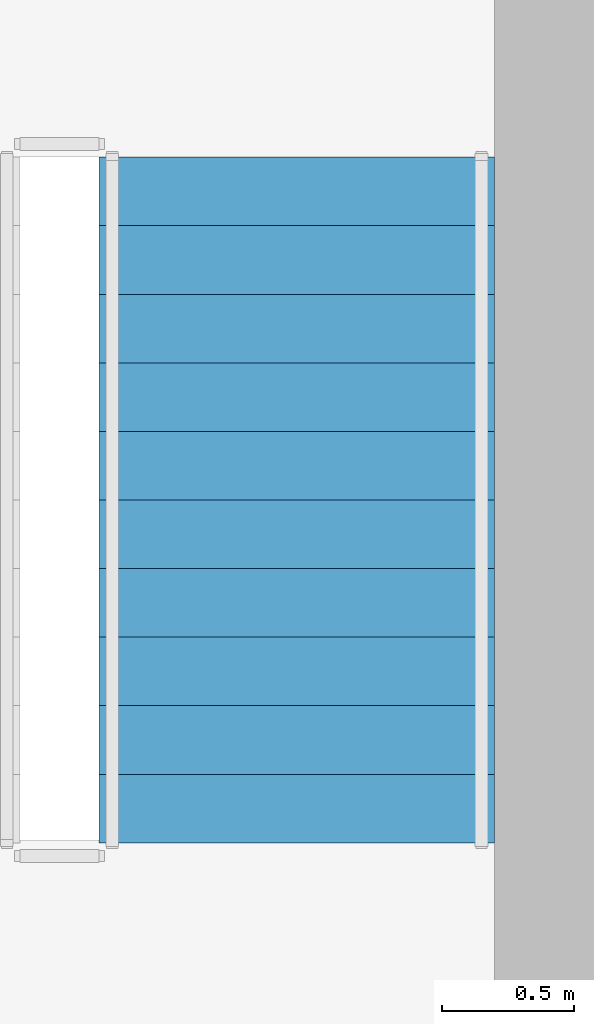
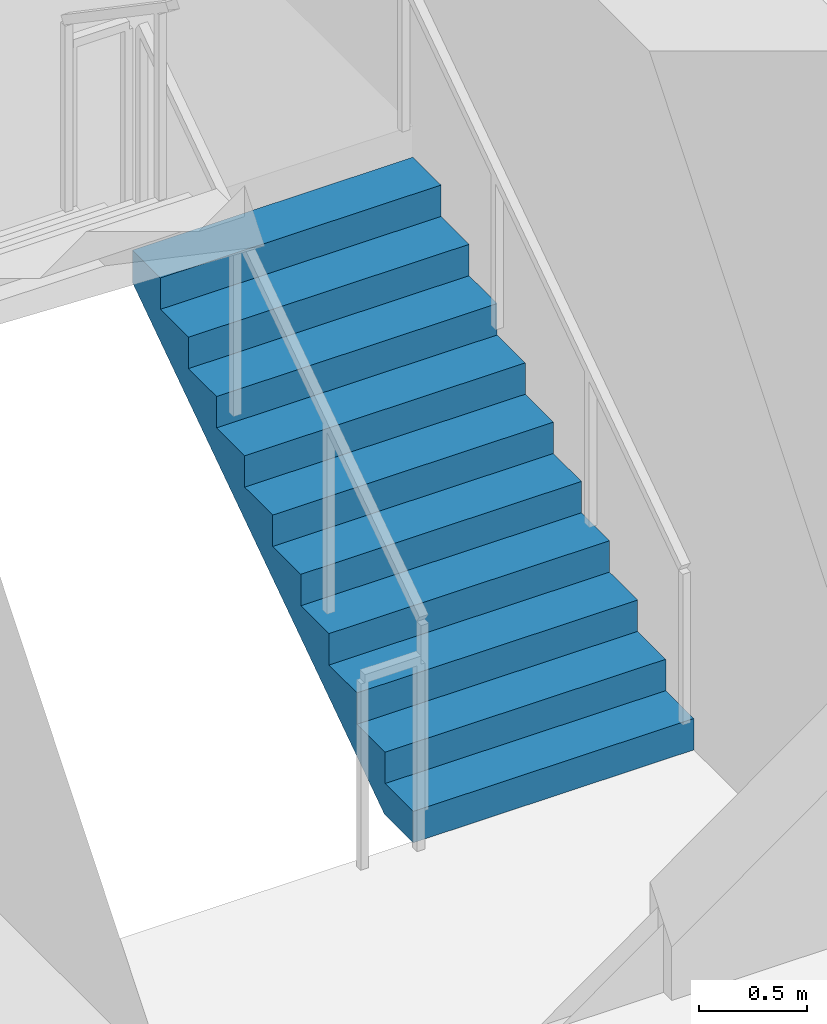
# One storey, part 12 of 17: 1 stair flight, 1 element without a shape of its own.
"""IFC4 building model written with IfcOpenShell, lengths in metres."""

from ifc_helpers import new_model, si_unit, direction, frame, origin, place, context, subcontext, project, spatial, polyline, outline, extrude, material, type_object, element, aggregate, save


model = new_model("IFC4")

# Units and contexts
model_context = context("Model", 3, precision=1e-05, world=origin(), true_north=direction((0.0, 1.0)))
body_context = subcontext(model_context, "Body", "Model", "MODEL_VIEW")
ifc_project = project(units=[si_unit("LENGTHUNIT", "METRE"), si_unit("AREAUNIT", "SQUARE_METRE"), si_unit("VOLUMEUNIT", "CUBIC_METRE"), si_unit("PLANEANGLEUNIT", "RADIAN"), si_unit("MASSUNIT", "GRAM", prefix="KILO")], contexts=[model_context])

# Site, building, storey
site_placement = place(None, origin())
site = spatial("IfcSite", under=ifc_project, at=site_placement, CompositionType="ELEMENT")
building_placement = place(site_placement, origin())
building = spatial("IfcBuilding", under=site, at=building_placement, Name="Rattan Terrace Tower", CompositionType="ELEMENT")
storey_placement = place(building_placement, frame((0.0, 0.0, 213.5)))
storey = spatial("IfcBuildingStorey", under=building, at=storey_placement, Name="L48", CompositionType="ELEMENT", Elevation=213.5)

# Stair, stair flight
ifc_material_1 = material(Name="Concrete C40/50", Category="concrete")
stair_type = type_object("IfcStairType", Name="Core exit stair 1500", PredefinedType="HALF_TURN_STAIR", material=ifc_material_1)
stair_placement = place(storey_placement, origin())
stair = element("IfcStair", 1, at=stair_placement, inside=storey, type_object=stair_type, Name="L48 exit stair 2", PredefinedType="HALF_TURN_STAIR")
ifc_material_2 = material(Name="Concrete C40/50", Category="concrete")
stair_flight_type = type_object("IfcStairFlightType", Name="Core exit stair flight 1500", PredefinedType="STRAIGHT", material=ifc_material_2)
stair_flight_placement = place(storey_placement, frame((16.35009765625, 1.699951171875, 0.0), z_axis=(0.0, 0.0, 1.0), x_axis=(0.0, 1.0, 0.0)))
stair_flight = element("IfcStairFlight", 2, at=stair_flight_placement, type_object=stair_flight_type, Name="S2 flight 1", NumberOfRisers=11, NumberOfTreads=10, PredefinedType="STRAIGHT", RiserHeight=0.177272727, TreadLength=0.26, context=body_context, shape_type="SweptSolid", body=[
    extrude(outline(polyline([(0.0, 0.0), (0.0, 0.17724609375), (0.260009765625, 0.17724609375), (0.260009765625, 0.3544921875), (0.52001953125, 0.3544921875), (0.52001953125, 0.53173828125), (0.780029296875, 0.53173828125), (0.780029296875, 0.708984375), (1.0400390625, 0.708984375), (1.0400390625, 0.886474609375), (1.300048828125, 0.886474609375), (1.300048828125, 1.063720703125), (1.56005859375, 1.063720703125), (1.56005859375, 1.240966796875), (1.820068359375, 1.240966796875), (1.820068359375, 1.418212890625), (2.080078125, 1.418212890625), (2.080078125, 1.595458984375), (2.340087890625, 1.595458984375), (2.340087890625, 1.772705078125), (2.60009765625, 1.772705078125), (2.60009765625, 1.949951171875), (2.60009765625, 1.59130859375), (0.26611328125, 0.0), (0.0, 0.0)])), frame((0.0, 0.75, 0.0), z_axis=(0.0, -1.0, 0.0), x_axis=(1.0, 0.0, 0.0)), (0.0, 0.0, 1.0), 1.5),
])
aggregate(stair, [stair_flight])

save(model, "model.ifc")
